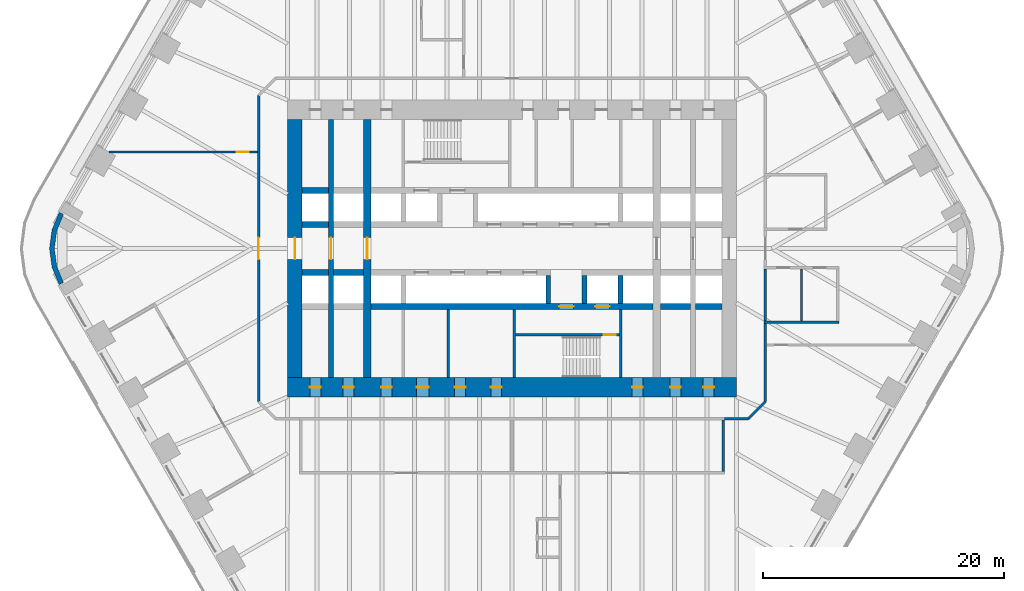
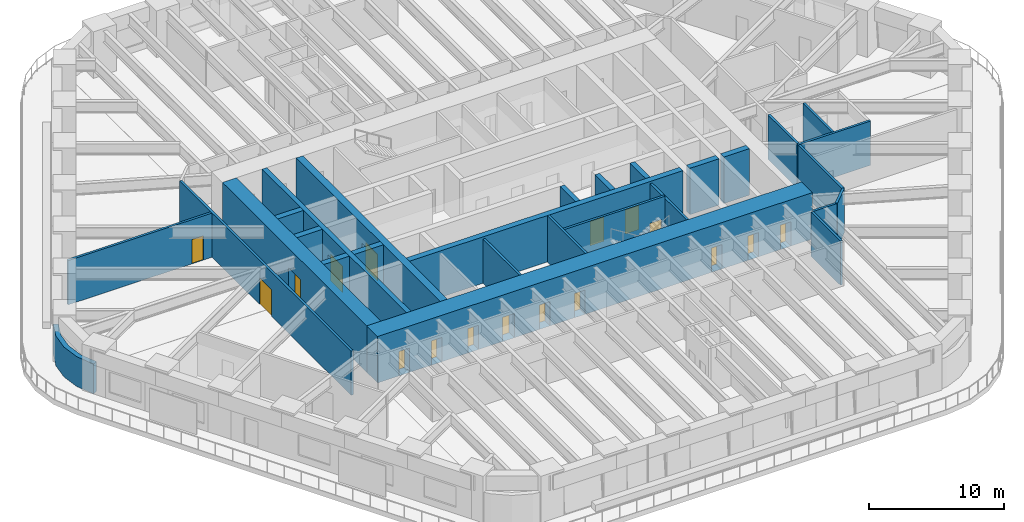
# One storey, part 17 of 24: 28 walls, 17 doors, 17 openings.
"""IFC4 building model written with IfcOpenShell, lengths in metres."""

from ifc_helpers import new_model, si_unit, direction, frame, frame_2d, origin, place, context, subcontext, project, spatial, polyline, rectangle, outline, extrude, material, layer, layer_set, type_object, element, fill, save


model = new_model("IFC4")

# Units and contexts
model_context = context("Model", 3, precision=1e-05, world=origin(), true_north=direction((0.0, 1.0)))
body_context = subcontext(model_context, "Body", "Model", "MODEL_VIEW")
ifc_project = project(units=[si_unit("LENGTHUNIT", "METRE"), si_unit("AREAUNIT", "SQUARE_METRE"), si_unit("VOLUMEUNIT", "CUBIC_METRE"), si_unit("PLANEANGLEUNIT", "RADIAN"), si_unit("MASSUNIT", "GRAM", prefix="KILO")], contexts=[model_context])

# Site, building, storey
site_placement = place(None, origin())
site = spatial("IfcSite", under=ifc_project, at=site_placement, CompositionType="ELEMENT")
building_placement = place(site_placement, origin())
building = spatial("IfcBuilding", under=site, at=building_placement, Name="Tarfa Lantern Tower", CompositionType="ELEMENT")
storey_placement = place(building_placement, frame((0.0, 0.0, 73.89990234375)))
storey = spatial("IfcBuildingStorey", under=building, at=storey_placement, Name="L16", CompositionType="ELEMENT", Elevation=73.89990234375)

# Walls
ifc_material_1 = material(Name="Limestone cladding on blockwork", Category="masonry")
ifc_layer_1 = layer(ifc_material_1, 0.39990234375)
ifc_layer_set_1 = layer_set([ifc_layer_1], Name="EW2 CURVED STONE CORNER 400")
wall_type_1 = type_object("IfcWallType", Name="EW2 CURVED STONE CORNER 400", PredefinedType="SOLIDWALL", material=ifc_layer_set_1)
wall_1_placement = place(storey_placement, origin())
element("IfcWall", 1, at=wall_1_placement, inside=storey, type_object=wall_type_1, Name="Stone corner NW-SW", PredefinedType="SOLIDWALL", context=body_context, shape_type="SweptSolid", body=[
    extrude(outline(polyline([(-37.52783203125, 3.0), (-38.127197265625, 1.552978515625), (-38.33154296875, 0.0), (-38.127197265625, -1.552978515625), (-37.52783203125, -3.0), (-37.181396484375, -2.800048828125), (-37.74072265625, -1.449462890625), (-37.931640625, 0.0), (-37.74072265625, 1.449462890625), (-37.181396484375, 2.800048828125), (-37.52783203125, 3.0)])), origin(), (0.0, 0.0, 1.0), 2.7001953125),
])
ifc_material_2 = material(Name="Concrete blockwork", Category="masonry")
ifc_layer_2 = layer(ifc_material_2, 0.199951171875)
ifc_layer_set_2 = layer_set([ifc_layer_2], Name="IW1 BLOCKWORK PARTITION 200 EI 120")
wall_type_2 = type_object("IfcWallType", Name="IW1 BLOCKWORK PARTITION 200 EI 120", PredefinedType="PARTITIONING", material=ifc_layer_set_2)
for number, where, z_axis, x_axis, name in (
    (2, (9.0, -5.050048828125, 0.0), (0.0, 0.0, 1.0), (0.0, -1.0, 0.0), "Core partition"),
    (3, (-5.300048828125, -5.050048828125, 0.0), (0.0, 0.0, 1.0), (0.0, -1.0, 0.0), "Core partition"),
):
    element("IfcWall", number, at=place(storey_placement, frame(where, z_axis=z_axis, x_axis=x_axis)), inside=storey, type_object=wall_type_2, Name=name, PredefinedType="PARTITIONING", context=body_context, shape_type="SweptSolid", body=[
        extrude(rectangle(XDim=5.64990234375, YDim=0.199951171875, at=frame_2d((2.824951171875, 0.0))), origin(), (0.0, 0.0, 1.0), 4.0),
    ])
ifc_material_3 = material(Name="Gypsum board on steel studs", Category="steel")
ifc_layer_3 = layer(ifc_material_3, 0.2099609375)
ifc_layer_set_3 = layer_set([ifc_layer_3], Name="IW2 ACOUSTIC PARTITION 200")
wall_type_3 = type_object("IfcWallType", Name="IW2 ACOUSTIC PARTITION 200", PredefinedType="PARTITIONING", material=ifc_layer_set_3)
wall_2_placement = place(storey_placement, frame((17.5, -14.199951171875, 0.0), z_axis=(0.0, 0.0, 1.0), x_axis=(0.0, -1.0, 0.0)))
element("IfcWall", 4, at=wall_2_placement, inside=storey, type_object=wall_type_3, Name="Partition", PredefinedType="PARTITIONING", context=body_context, shape_type="SweptSolid", body=[
    extrude(rectangle(XDim=4.300048828125, YDim=0.199951171875, at=frame_2d((2.14990234375, 0.0))), origin(), (0.0, 0.0, 1.0), 4.0),
])
wall_3_placement = place(storey_placement, frame((20.89990234375, -6.10009765625, 0.0), z_axis=(0.0, 0.0, 1.0), x_axis=(1.0, 0.0, 0.0)))
element("IfcWall", 5, at=wall_3_placement, inside=storey, type_object=wall_type_3, Name="Partition", PredefinedType="PARTITIONING", context=body_context, shape_type="SweptSolid", body=[
    extrude(rectangle(XDim=6.2001953125, YDim=0.199951171875, at=frame_2d((3.10009765625, 0.0))), origin(), (0.0, 0.0, 1.0), 4.0),
])
for number, where, z_axis, x_axis, name in (
    (6, (21.0, -1.699951171875, 0.0), (0.0, 0.0, 1.0), (0.0, -1.0, 0.0), "Partition"),
    (7, (24.0, -1.699951171875, 0.0), (0.0, 0.0, 1.0), (0.0, -1.0, 0.0), "Partition"),
):
    element("IfcWall", number, at=place(storey_placement, frame(where, z_axis=z_axis, x_axis=x_axis)), inside=storey, type_object=wall_type_3, Name=name, PredefinedType="PARTITIONING", context=body_context, shape_type="SweptSolid", body=[
        extrude(rectangle(XDim=4.300048828125, YDim=0.199951171875, at=frame_2d((2.14990234375, 0.0))), origin(), (0.0, 0.0, 1.0), 4.0),
    ])
wall_4_placement = place(storey_placement, frame((21.0, -6.200927734375, 0.0), z_axis=(0.0, 0.0, 1.0), x_axis=(0.0, -1.0, 0.0)))
element("IfcWall", 8, at=wall_4_placement, inside=storey, type_object=wall_type_3, Name="Partition", PredefinedType="PARTITIONING", context=body_context, shape_type="SweptSolid", body=[
    extrude(rectangle(XDim=6.4990234375, YDim=0.199951171875, at=frame_2d((3.24951171875, 0.0))), origin(), (0.0, 0.0, 1.0), 4.0),
])
wall_5_placement = place(storey_placement, frame((21.0, -12.699951171875, 0.0), z_axis=(0.0, 0.0, 1.0), x_axis=(-0.707045124756, -0.707168432242, 0.0)))
element("IfcWall", 9, at=wall_5_placement, inside=storey, type_object=wall_type_3, Name="Partition", PredefinedType="PARTITIONING", context=body_context, shape_type="SweptSolid", body=[
    extrude(rectangle(XDim=1.97998046875, YDim=0.199951171875, at=frame_2d((0.989990234375, 0.0))), origin(), (0.0, 0.0, 1.0), 4.0),
])
wall_6_placement = place(storey_placement, frame((19.60009765625, -14.10009765625, 0.0), z_axis=(0.0, 0.0, 1.0), x_axis=(-1.0, 0.0, 0.0)))
element("IfcWall", 10, at=wall_6_placement, inside=storey, type_object=wall_type_3, Name="Partition", PredefinedType="PARTITIONING", context=body_context, shape_type="SweptSolid", body=[
    extrude(rectangle(XDim=2.0, YDim=0.199951171875, at=frame_2d((1.0, 0.0))), origin(), (0.0, 0.0, 1.0), 4.0),
])

# Wall, opening, door
wall_7_placement = place(storey_placement, frame((-21.0, -12.699951171875, 0.0), z_axis=(0.0, 0.0, 1.0), x_axis=(0.0, 1.0, 0.0)))
wall_7 = element("IfcWall", 11, at=wall_7_placement, inside=storey, type_object=wall_type_3, Name="Partition", PredefinedType="PARTITIONING", context=body_context, shape_type="SweptSolid", body=[
    extrude(rectangle(XDim=25.39990234375, YDim=0.199951171875, at=frame_2d((12.699951171875, 0.0))), origin(), (0.0, 0.0, 1.0), 4.0),
])
opening_1_placement = place(wall_7_placement, frame((11.800048828125, 0.0, 0.0)))
opening_1 = element("IfcOpeningElement", 12, at=opening_1_placement, cuts=wall_7, Name="Opening D49", PredefinedType="OPENING", context=body_context, shape_type="SweptSolid", body=[
    extrude(rectangle(XDim=1.800048828125, YDim=2.39990234375, at=frame_2d((0.89990234375, 1.199951171875))), frame((0.0, 0.10986328125, 0.0), z_axis=(0.0, -1.0, 0.0), x_axis=(1.0, 0.0, 0.0)), (0.0, 0.0, 1.0), 0.219970703125),
])
ifc_material_4 = material(Name="Timber door", Category="wood")
door_type_1 = type_object("IfcDoorType", Name="DR2 ROOM DOOR 1800x2400", OperationType="DOUBLE_DOOR_SINGLE_SWING", PredefinedType="DOOR", material=ifc_material_4)
door_1_placement = place(opening_1_placement, origin())
door_1 = element("IfcDoor", 13, at=door_1_placement, inside=storey, type_object=door_type_1, Name="Corridor door", OperationType="DOUBLE_DOOR_SINGLE_SWING", OverallHeight=2.39990234375, OverallWidth=1.800048828125, PredefinedType="DOOR", context=body_context, shape_type="SweptSolid", body=[
    extrude(rectangle(XDim=1.800048828125, YDim=2.39990234375, at=frame_2d((0.89990234375, 1.199951171875))), frame((0.0, 0.02490234375, 0.0), z_axis=(0.0, -1.0, 0.0), x_axis=(1.0, 0.0, 0.0)), (0.0, 0.0, 1.0), 0.050048828125),
])
fill(opening_1, door_1)

wall_8_placement = place(storey_placement, frame((-21.10009765625, 8.0, 0.0), z_axis=(0.0, 0.0, 1.0), x_axis=(-1.0, 0.0, 0.0)))
wall_8 = element("IfcWall", 14, at=wall_8_placement, inside=storey, type_object=wall_type_3, Name="Partition", PredefinedType="PARTITIONING", context=body_context, shape_type="SweptSolid", body=[
    extrude(rectangle(XDim=12.310791015625, YDim=0.199951171875, at=frame_2d((6.1552734375, 0.0))), origin(), (0.0, 0.0, 1.0), 4.0),
])
opening_2_placement = place(wall_8_placement, frame((0.731201171875, 0.0, 0.0)))
opening_2 = element("IfcOpeningElement", 15, at=opening_2_placement, cuts=wall_8, Name="Opening D53", PredefinedType="OPENING", context=body_context, shape_type="SweptSolid", body=[
    extrude(rectangle(XDim=1.0, YDim=2.199951171875, at=frame_2d((0.5, 1.10009765625))), frame((0.0, 0.10986328125, 0.0), z_axis=(0.0, -1.0, 0.0), x_axis=(1.0, 0.0, 0.0)), (0.0, 0.0, 1.0), 0.219970703125),
])
door_type_2 = type_object("IfcDoorType", Name="DR1 ROOM DOOR 1000x2200", OperationType="SINGLE_SWING_LEFT", PredefinedType="DOOR", material=ifc_material_4)
door_2_placement = place(opening_2_placement, frame((1.0, 0.0, 0.0), z_axis=(0.0, 0.0, 1.0), x_axis=(-1.0, 0.0, 0.0)))
door_2 = element("IfcDoor", 16, at=door_2_placement, inside=storey, type_object=door_type_2, Name="Zone door", OperationType="SINGLE_SWING_LEFT", OverallHeight=2.199951171875, OverallWidth=1.0, PredefinedType="DOOR", context=body_context, shape_type="SweptSolid", body=[
    extrude(rectangle(XDim=1.0, YDim=2.199951171875, at=frame_2d((0.5, 1.10009765625))), frame((0.0, 0.02490234375, 0.0), z_axis=(0.0, -1.0, 0.0), x_axis=(1.0, 0.0, 0.0)), (0.0, 0.0, 1.0), 0.050048828125),
])
fill(opening_2, door_2)

ifc_material_5 = material(Name="Concrete C80/95", Category="concrete")
ifc_layer_4 = layer(ifc_material_5, 1.199951171875)
ifc_layer_set_4 = layer_set([ifc_layer_4], Name="SW1 CORE WALL 1200")
wall_type_4 = type_object("IfcWallType", Name="SW1 CORE WALL 1200", PredefinedType="SHEAR", material=ifc_layer_set_4)
wall_9_placement = place(storey_placement, frame((-18.0, 10.699951171875, 0.0), z_axis=(0.0, 0.0, 1.0), x_axis=(0.0, -1.0, 0.0)))
wall_9 = element("IfcWall", 17, at=wall_9_placement, inside=storey, type_object=wall_type_4, Name="Core wall W", PredefinedType="SHEAR", context=body_context, shape_type="SweptSolid", body=[
    extrude(rectangle(XDim=21.39990234375, YDim=1.199951171875, at=frame_2d((10.699951171875, 0.0))), origin(), (0.0, 0.0, 1.0), 4.2001953125),
])
opening_3_placement = place(wall_9_placement, frame((9.800048828125, 0.0, 0.0)))
opening_3 = element("IfcOpeningElement", 18, at=opening_3_placement, cuts=wall_9, Name="Opening D16", PredefinedType="OPENING", context=body_context, shape_type="SweptSolid", body=[
    extrude(rectangle(XDim=1.800048828125, YDim=2.39990234375, at=frame_2d((0.89990234375, 1.199951171875))), frame((0.0, 0.60986328125, 0.0), z_axis=(0.0, -1.0, 0.0), x_axis=(1.0, 0.0, 0.0)), (0.0, 0.0, 1.0), 1.219970703125),
])
ifc_material_6 = material(Name="Steel fire door", Category="steel")
door_type_3 = type_object("IfcDoorType", Name="DL1 LOBBY DOOR 1800x2400", OperationType="DOUBLE_DOOR_SINGLE_SWING", PredefinedType="DOOR", material=ifc_material_6)
door_3_placement = place(opening_3_placement, frame((1.800048828125, 0.0, 0.0), z_axis=(0.0, 0.0, 1.0), x_axis=(-1.0, 0.0, 0.0)))
door_3 = element("IfcDoor", 19, at=door_3_placement, inside=storey, type_object=door_type_3, Name="Lift lobby door", OperationType="DOUBLE_DOOR_SINGLE_SWING", OverallHeight=2.39990234375, OverallWidth=1.800048828125, PredefinedType="DOOR", context=body_context, shape_type="SweptSolid", body=[
    extrude(rectangle(XDim=1.800048828125, YDim=2.39990234375, at=frame_2d((0.89990234375, 1.199951171875))), frame((0.0, 0.02490234375, 0.0), z_axis=(0.0, -1.0, 0.0), x_axis=(1.0, 0.0, 0.0)), (0.0, 0.0, 1.0), 0.050048828125),
])
fill(opening_3, door_3)

# Wall
ifc_layer_5 = layer(ifc_material_5, 0.199951171875)
ifc_layer_set_5 = layer_set([ifc_layer_5], Name="SW12 CORE WALL 200")
wall_type_5 = type_object("IfcWallType", Name="SW12 CORE WALL 200", PredefinedType="SHEAR", material=ifc_layer_set_5)
wall_10_placement = place(storey_placement, frame((0.199951171875, -5.050048828125, 0.0), z_axis=(0.0, 0.0, 1.0), x_axis=(0.0, -1.0, 0.0)))
element("IfcWall", 20, at=wall_10_placement, inside=storey, type_object=wall_type_5, Name="Core wall stair shaft S", PredefinedType="SHEAR", context=body_context, shape_type="SweptSolid", body=[
    extrude(rectangle(XDim=5.64990234375, YDim=0.199951171875, at=frame_2d((2.824951171875, 0.0))), origin(), (0.0, 0.0, 1.0), 4.2001953125),
])

# Wall, opening, door
wall_11_placement = place(storey_placement, frame((8.89990234375, -7.14990234375, 0.0), z_axis=(0.0, 0.0, 1.0), x_axis=(-1.0, 0.0, 0.0)))
wall_11 = element("IfcWall", 21, at=wall_11_placement, inside=storey, type_object=wall_type_5, Name="Core wall stair partition S", PredefinedType="SHEAR", context=body_context, shape_type="SweptSolid", body=[
    extrude(rectangle(XDim=8.599853515625, YDim=0.199951171875, at=frame_2d((4.2998046875, 0.0))), origin(), (0.0, 0.0, 1.0), 4.2001953125),
])
opening_4_placement = place(wall_11_placement, frame((0.300048828125, 0.0, 0.0)))
opening_4 = element("IfcOpeningElement", 22, at=opening_4_placement, cuts=wall_11, Name="Opening D24", PredefinedType="OPENING", context=body_context, shape_type="SweptSolid", body=[
    extrude(rectangle(XDim=1.0, YDim=2.199951171875, at=frame_2d((0.5, 1.10009765625))), frame((0.0, 0.10986328125, 0.0), z_axis=(0.0, -1.0, 0.0), x_axis=(1.0, 0.0, 0.0)), (0.0, 0.0, 1.0), 0.219970703125),
])
door_type_4 = type_object("IfcDoorType", Name="DF2 STAIR DOOR 1000x2200", OperationType="SINGLE_SWING_LEFT", PredefinedType="DOOR", material=ifc_material_6)
door_4_placement = place(opening_4_placement, origin())
door_4 = element("IfcDoor", 23, at=door_4_placement, inside=storey, type_object=door_type_4, Name="Stair door", OperationType="SINGLE_SWING_RIGHT", OverallHeight=2.199951171875, OverallWidth=1.0, PredefinedType="DOOR", context=body_context, shape_type="SweptSolid", body=[
    extrude(rectangle(XDim=1.0, YDim=2.199951171875, at=frame_2d((0.5, 1.10009765625))), frame((0.0, 0.02490234375, 0.0), z_axis=(0.0, -1.0, 0.0), x_axis=(1.0, 0.0, 0.0)), (0.0, 0.0, 1.0), 0.050048828125),
])
fill(opening_4, door_4)

# Walls
ifc_layer_6 = layer(ifc_material_5, 0.5)
ifc_layer_set_6 = layer_set([ifc_layer_6], Name="SW5 CORE WALL 500")
wall_type_6 = type_object("IfcWallType", Name="SW5 CORE WALL 500", PredefinedType="SHEAR", material=ifc_layer_set_6)
for number, where, z_axis, x_axis, name in (
    (24, (-17.39990234375, 2.0, 0.0), (0.0, 0.0, 1.0), (1.0, 0.0, 0.0), "Core wall lobby west N"),
    (25, (-17.39990234375, 4.800048828125, 0.0), (0.0, 0.0, 1.0), (1.0, 0.0, 0.0), "Core wall rear N"),
):
    element("IfcWall", number, at=place(storey_placement, frame(where, z_axis=z_axis, x_axis=x_axis)), inside=storey, type_object=wall_type_6, Name=name, PredefinedType="SHEAR", context=body_context, shape_type="SweptSolid", body=[
        extrude(rectangle(XDim=2.199951171875, YDim=0.5, at=frame_2d((1.10009765625, 0.0))), origin(), (0.0, 0.0, 1.0), 4.2001953125),
    ])
wall_12_placement = place(storey_placement, frame((-12.300048828125, -2.0, 0.0), z_axis=(0.0, 0.0, 1.0), x_axis=(-1.0, 0.0, 0.0)))
element("IfcWall", 26, at=wall_12_placement, inside=storey, type_object=wall_type_6, Name="Core wall lobby east S", PredefinedType="SHEAR", context=body_context, shape_type="SweptSolid", body=[
    extrude(rectangle(XDim=2.5, YDim=0.5, at=frame_2d((1.25, 0.0))), origin(), (0.0, 0.0, 1.0), 4.2001953125),
])
for number, where, z_axis, x_axis, name in (
    (27, (-15.199951171875, -2.0, 0.0), (0.0, 0.0, 1.0), (-1.0, 0.0, 0.0), "Core wall lobby east S"),
    (28, (17.39990234375, -4.800048828125, 0.0), (0.0, 0.0, 1.0), (-1.0, 0.0, 0.0), "Core wall rear S"),
):
    element("IfcWall", number, at=place(storey_placement, frame(where, z_axis=z_axis, x_axis=x_axis)), inside=storey, type_object=wall_type_6, Name=name, PredefinedType="SHEAR", context=body_context, shape_type="SweptSolid", body=[
        extrude(rectangle(XDim=2.199951171875, YDim=0.5, at=frame_2d((1.10009765625, 0.0))), origin(), (0.0, 0.0, 1.0), 4.2001953125),
    ])
wall_13_placement = place(storey_placement, frame((14.800048828125, -4.800048828125, 0.0), z_axis=(0.0, 0.0, 1.0), x_axis=(-1.0, 0.0, 0.0)))
element("IfcWall", 29, at=wall_13_placement, inside=storey, type_object=wall_type_6, Name="Core wall rear S", PredefinedType="SHEAR", context=body_context, shape_type="SweptSolid", body=[
    extrude(rectangle(XDim=2.5, YDim=0.5, at=frame_2d((1.25, 0.0))), origin(), (0.0, 0.0, 1.0), 4.2001953125),
])

# Wall, openings, doors
wall_14_placement = place(storey_placement, frame((11.699951171875, -4.800048828125, 0.0), z_axis=(0.0, 0.0, 1.0), x_axis=(-1.0, 0.0, 0.0)))
wall_14 = element("IfcWall", 30, at=wall_14_placement, inside=storey, type_object=wall_type_6, Name="Core wall rear S", PredefinedType="SHEAR", context=body_context, shape_type="SweptSolid", body=[
    extrude(rectangle(XDim=23.39990234375, YDim=0.5, at=frame_2d((11.699951171875, 0.0))), origin(), (0.0, 0.0, 1.0), 4.2001953125),
])
opening_5_placement = place(wall_14_placement, frame((6.60009765625, 0.0, 0.0)))
opening_5 = element("IfcOpeningElement", 31, at=opening_5_placement, cuts=wall_14, Name="Opening D14", PredefinedType="OPENING", context=body_context, shape_type="SweptSolid", body=[
    extrude(rectangle(XDim=1.199951171875, YDim=2.199951171875, at=frame_2d((0.60009765625, 1.10009765625))), frame((0.0, 0.260009765625, 0.0), z_axis=(0.0, -1.0, 0.0), x_axis=(1.0, 0.0, 0.0)), (0.0, 0.0, 1.0), 0.52001953125),
])
opening_6_placement = place(wall_14_placement, frame((3.60009765625, 0.0, 0.0)))
opening_6 = element("IfcOpeningElement", 32, at=opening_6_placement, cuts=wall_14, Name="Opening LD02", PredefinedType="OPENING", context=body_context, shape_type="SweptSolid", body=[
    extrude(rectangle(XDim=1.199951171875, YDim=2.199951171875, at=frame_2d((0.60009765625, 1.10009765625))), frame((0.0, 0.260009765625, 0.0), z_axis=(0.0, -1.0, 0.0), x_axis=(1.0, 0.0, 0.0)), (0.0, 0.0, 1.0), 0.52001953125),
])
door_type_5 = type_object("IfcDoorType", Name="DF1 FIREFIGHTING LOBBY DOOR 1200x2200", OperationType="SINGLE_SWING_LEFT", PredefinedType="DOOR", material=ifc_material_6)
door_5_placement = place(opening_5_placement, origin())
door_5 = element("IfcDoor", 33, at=door_5_placement, inside=storey, type_object=door_type_5, Name="Firefighting lobby door", OperationType="SINGLE_SWING_LEFT", OverallHeight=2.199951171875, OverallWidth=1.199951171875, PredefinedType="DOOR", context=body_context, shape_type="SweptSolid", body=[
    extrude(rectangle(XDim=1.199951171875, YDim=2.199951171875, at=frame_2d((0.60009765625, 1.10009765625))), frame((0.0, 0.02490234375, 0.0), z_axis=(0.0, -1.0, 0.0), x_axis=(1.0, 0.0, 0.0)), (0.0, 0.0, 1.0), 0.050048828125),
])
fill(opening_5, door_5)
ifc_material_7 = material(Name="Stainless steel lift door", Category="steel")
door_type_6 = type_object("IfcDoorType", Name="LD1 LIFT LANDING DOOR 1200x2200", OperationType="SLIDING_TO_LEFT", PredefinedType="DOOR", material=ifc_material_7)
door_6_placement = place(opening_6_placement, origin())
door_6 = element("IfcDoor", 34, at=door_6_placement, inside=storey, type_object=door_type_6, Name="Landing door FL2", OperationType="SLIDING_TO_LEFT", OverallHeight=2.199951171875, OverallWidth=1.199951171875, PredefinedType="DOOR", context=body_context, shape_type="SweptSolid", body=[
    extrude(rectangle(XDim=1.199951171875, YDim=2.199951171875, at=frame_2d((0.60009765625, 1.10009765625))), frame((0.0, 0.02490234375, 0.0), z_axis=(0.0, -1.0, 0.0), x_axis=(1.0, 0.0, 0.0)), (0.0, 0.0, 1.0), 0.050048828125),
])
fill(opening_6, door_6)

# Wall, opening, door
ifc_layer_7 = layer(ifc_material_5, 0.39990234375)
ifc_layer_set_7 = layer_set([ifc_layer_7], Name="SW6 CORE WALL 400")
wall_type_7 = type_object("IfcWallType", Name="SW6 CORE WALL 400", PredefinedType="SHEAR", material=ifc_layer_set_7)
wall_15_placement = place(storey_placement, frame((-15.0, -10.699951171875, 0.0), z_axis=(0.0, 0.0, 1.0), x_axis=(0.0, 1.0, 0.0)))
wall_15 = element("IfcWall", 35, at=wall_15_placement, inside=storey, type_object=wall_type_7, Name="Core wall cross 15 m west", PredefinedType="SHEAR", context=body_context, shape_type="SweptSolid", body=[
    extrude(rectangle(XDim=21.39990234375, YDim=0.39990234375, at=frame_2d((10.699951171875, 0.0))), origin(), (0.0, 0.0, 1.0), 4.2001953125),
])
opening_7_placement = place(wall_15_placement, frame((9.800048828125, 0.0, 0.0)))
opening_7 = element("IfcOpeningElement", 36, at=opening_7_placement, cuts=wall_15, Name="Opening D28", PredefinedType="OPENING", context=body_context, shape_type="SweptSolid", body=[
    extrude(rectangle(XDim=1.800048828125, YDim=2.39990234375, at=frame_2d((0.89990234375, 1.199951171875))), frame((0.0, 0.2099609375, 0.0), z_axis=(0.0, -1.0, 0.0), x_axis=(1.0, 0.0, 0.0)), (0.0, 0.0, 1.0), 0.419921875),
])
door_7_placement = place(opening_7_placement, origin())
door_7 = element("IfcDoor", 37, at=door_7_placement, inside=storey, type_object=door_type_3, Name="Lift lobby door", OperationType="DOUBLE_DOOR_SINGLE_SWING", OverallHeight=2.39990234375, OverallWidth=1.800048828125, PredefinedType="DOOR", context=body_context, shape_type="SweptSolid", body=[
    extrude(rectangle(XDim=1.800048828125, YDim=2.39990234375, at=frame_2d((0.89990234375, 1.199951171875))), frame((0.0, 0.02490234375, 0.0), z_axis=(0.0, -1.0, 0.0), x_axis=(1.0, 0.0, 0.0)), (0.0, 0.0, 1.0), 0.050048828125),
])
fill(opening_7, door_7)

# Walls
for number, where, z_axis, x_axis, name in (
    (38, (9.0, -2.25, 0.0), (0.0, 0.0, 1.0), (0.0, -1.0, 0.0), "Core wall divider S"),
    (39, (6.0, -2.25, 0.0), (0.0, 0.0, 1.0), (0.0, -1.0, 0.0), "Core wall divider S"),
    (40, (3.0, -2.25, 0.0), (0.0, 0.0, 1.0), (0.0, -1.0, 0.0), "Core wall divider S"),
):
    element("IfcWall", number, at=place(storey_placement, frame(where, z_axis=z_axis, x_axis=x_axis)), inside=storey, type_object=wall_type_7, Name=name, PredefinedType="SHEAR", context=body_context, shape_type="SweptSolid", body=[
        extrude(rectangle(XDim=2.300048828125, YDim=0.39990234375, at=frame_2d((1.14990234375, 0.0))), origin(), (0.0, 0.0, 1.0), 4.2001953125),
    ])

# Wall, openings, doors
ifc_layer_8 = layer(ifc_material_5, 1.60009765625)
ifc_layer_set_8 = layer_set([ifc_layer_8], Name="SW7 CORE WALL 1600")
wall_type_8 = type_object("IfcWallType", Name="SW7 CORE WALL 1600", PredefinedType="SHEAR", material=ifc_layer_set_8)
wall_16_placement = place(storey_placement, frame((18.60009765625, -11.5, 0.0), z_axis=(0.0, 0.0, 1.0), x_axis=(-1.0, 0.0, 0.0)))
wall_16 = element("IfcWall", 41, at=wall_16_placement, inside=storey, type_object=wall_type_8, Name="Core wall S", PredefinedType="SHEAR", context=body_context, shape_type="SweptSolid", body=[
    extrude(rectangle(XDim=37.2001953125, YDim=1.60009765625, at=frame_2d((18.60009765625, 0.0))), origin(), (0.0, 0.0, 1.0), 4.2001953125),
])
opening_8_placement = place(wall_16_placement, frame((19.449951171875, 0.0, 0.0)))
opening_8 = element("IfcOpeningElement", 42, at=opening_8_placement, cuts=wall_16, Name="Opening D18", PredefinedType="OPENING", context=body_context, shape_type="SweptSolid", body=[
    extrude(rectangle(XDim=0.89990234375, YDim=2.199951171875, at=frame_2d((0.449951171875, 1.10009765625))), frame((0.0, 0.81005859375, 0.0), z_axis=(0.0, -1.0, 0.0), x_axis=(1.0, 0.0, 0.0)), (0.0, 0.0, 1.0), 1.6201171875),
])
opening_9_placement = place(wall_16_placement, frame((22.449951171875, 0.0, 0.0)))
opening_9 = element("IfcOpeningElement", 43, at=opening_9_placement, cuts=wall_16, Name="Opening D20", PredefinedType="OPENING", context=body_context, shape_type="SweptSolid", body=[
    extrude(rectangle(XDim=0.89990234375, YDim=2.199951171875, at=frame_2d((0.449951171875, 1.10009765625))), frame((0.0, 0.81005859375, 0.0), z_axis=(0.0, -1.0, 0.0), x_axis=(1.0, 0.0, 0.0)), (0.0, 0.0, 1.0), 1.6201171875),
])
opening_10_placement = place(wall_16_placement, frame((25.5, 0.0, 0.0)))
opening_10 = element("IfcOpeningElement", 44, at=opening_10_placement, cuts=wall_16, Name="Opening D22", PredefinedType="OPENING", context=body_context, shape_type="SweptSolid", body=[
    extrude(rectangle(XDim=1.0, YDim=2.199951171875, at=frame_2d((0.5, 1.10009765625))), frame((0.0, 0.81005859375, 0.0), z_axis=(0.0, -1.0, 0.0), x_axis=(1.0, 0.0, 0.0)), (0.0, 0.0, 1.0), 1.6201171875),
])
opening_11_placement = place(wall_16_placement, frame((1.85009765625, 0.0, 0.0)))
opening_11 = element("IfcOpeningElement", 45, at=opening_11_placement, cuts=wall_16, Name="Opening D12", PredefinedType="OPENING", context=body_context, shape_type="SweptSolid", body=[
    extrude(rectangle(XDim=0.89990234375, YDim=2.199951171875, at=frame_2d((0.449951171875, 1.10009765625))), frame((0.0, 0.81005859375, 0.0), z_axis=(0.0, -1.0, 0.0), x_axis=(1.0, 0.0, 0.0)), (0.0, 0.0, 1.0), 1.6201171875),
])
opening_12_placement = place(wall_16_placement, frame((4.60009765625, 0.0, 0.0)))
opening_12 = element("IfcOpeningElement", 46, at=opening_12_placement, cuts=wall_16, Name="Opening D08", PredefinedType="OPENING", context=body_context, shape_type="SweptSolid", body=[
    extrude(rectangle(XDim=0.89990234375, YDim=2.199951171875, at=frame_2d((0.449951171875, 1.10009765625))), frame((0.0, 0.81005859375, 0.0), z_axis=(0.0, -1.0, 0.0), x_axis=(1.0, 0.0, 0.0)), (0.0, 0.0, 1.0), 1.6201171875),
])
opening_13_placement = place(wall_16_placement, frame((7.75, 0.0, 0.0)))
opening_13 = element("IfcOpeningElement", 47, at=opening_13_placement, cuts=wall_16, Name="Opening D10", PredefinedType="OPENING", context=body_context, shape_type="SweptSolid", body=[
    extrude(rectangle(XDim=0.89990234375, YDim=2.199951171875, at=frame_2d((0.449951171875, 1.10009765625))), frame((0.0, 0.81005859375, 0.0), z_axis=(0.0, -1.0, 0.0), x_axis=(1.0, 0.0, 0.0)), (0.0, 0.0, 1.0), 1.6201171875),
])
opening_14_placement = place(wall_16_placement, frame((28.550048828125, 0.0, 0.0)))
opening_14 = element("IfcOpeningElement", 48, at=opening_14_placement, cuts=wall_16, Name="Opening D06", PredefinedType="OPENING", context=body_context, shape_type="SweptSolid", body=[
    extrude(rectangle(XDim=0.89990234375, YDim=2.199951171875, at=frame_2d((0.449951171875, 1.10009765625))), frame((0.0, 0.81005859375, 0.0), z_axis=(0.0, -1.0, 0.0), x_axis=(1.0, 0.0, 0.0)), (0.0, 0.0, 1.0), 1.6201171875),
])
opening_15_placement = place(wall_16_placement, frame((31.699951171875, 0.0, 0.0)))
opening_15 = element("IfcOpeningElement", 49, at=opening_15_placement, cuts=wall_16, Name="Opening D02", PredefinedType="OPENING", context=body_context, shape_type="SweptSolid", body=[
    extrude(rectangle(XDim=0.89990234375, YDim=2.199951171875, at=frame_2d((0.449951171875, 1.10009765625))), frame((0.0, 0.81005859375, 0.0), z_axis=(0.0, -1.0, 0.0), x_axis=(1.0, 0.0, 0.0)), (0.0, 0.0, 1.0), 1.6201171875),
])
opening_16_placement = place(wall_16_placement, frame((34.449951171875, 0.0, 0.0)))
opening_16 = element("IfcOpeningElement", 50, at=opening_16_placement, cuts=wall_16, Name="Opening D04", PredefinedType="OPENING", context=body_context, shape_type="SweptSolid", body=[
    extrude(rectangle(XDim=0.89990234375, YDim=2.199951171875, at=frame_2d((0.449951171875, 1.10009765625))), frame((0.0, 0.81005859375, 0.0), z_axis=(0.0, -1.0, 0.0), x_axis=(1.0, 0.0, 0.0)), (0.0, 0.0, 1.0), 1.6201171875),
])
door_type_7 = type_object("IfcDoorType", Name="DF3 CORE ROOM DOOR 900x2200", OperationType="SINGLE_SWING_LEFT", PredefinedType="DOOR", material=ifc_material_6)
door_8_placement = place(opening_8_placement, frame((0.89990234375, 0.0, 0.0), z_axis=(0.0, 0.0, 1.0), x_axis=(-1.0, 0.0, 0.0)))
door_8 = element("IfcDoor", 51, at=door_8_placement, inside=storey, type_object=door_type_7, Name="Core door", OperationType="SINGLE_SWING_LEFT", OverallHeight=2.199951171875, OverallWidth=0.89990234375, PredefinedType="DOOR", context=body_context, shape_type="SweptSolid", body=[
    extrude(rectangle(XDim=0.89990234375, YDim=2.199951171875, at=frame_2d((0.449951171875, 1.10009765625))), frame((0.0, 0.02490234375, 0.0), z_axis=(0.0, -1.0, 0.0), x_axis=(1.0, 0.0, 0.0)), (0.0, 0.0, 1.0), 0.050048828125),
])
fill(opening_8, door_8)
door_9_placement = place(opening_9_placement, frame((0.89990234375, 0.0, 0.0), z_axis=(0.0, 0.0, 1.0), x_axis=(-1.0, 0.0, 0.0)))
door_9 = element("IfcDoor", 52, at=door_9_placement, inside=storey, type_object=door_type_7, Name="Core door", OperationType="SINGLE_SWING_RIGHT", OverallHeight=2.199951171875, OverallWidth=0.89990234375, PredefinedType="DOOR", context=body_context, shape_type="SweptSolid", body=[
    extrude(rectangle(XDim=0.89990234375, YDim=2.199951171875, at=frame_2d((0.449951171875, 1.10009765625))), frame((0.0, 0.02490234375, 0.0), z_axis=(0.0, -1.0, 0.0), x_axis=(1.0, 0.0, 0.0)), (0.0, 0.0, 1.0), 0.050048828125),
])
fill(opening_9, door_9)
door_type_8 = type_object("IfcDoorType", Name="DF4 CORE ROOM DOOR 1000x2200", OperationType="SINGLE_SWING_LEFT", PredefinedType="DOOR", material=ifc_material_6)
door_10_placement = place(opening_10_placement, frame((1.0, 0.0, 0.0), z_axis=(0.0, 0.0, 1.0), x_axis=(-1.0, 0.0, 0.0)))
door_10 = element("IfcDoor", 53, at=door_10_placement, inside=storey, type_object=door_type_8, Name="Core door", OperationType="SINGLE_SWING_RIGHT", OverallHeight=2.199951171875, OverallWidth=1.0, PredefinedType="DOOR", context=body_context, shape_type="SweptSolid", body=[
    extrude(rectangle(XDim=1.0, YDim=2.199951171875, at=frame_2d((0.5, 1.10009765625))), frame((0.0, 0.02490234375, 0.0), z_axis=(0.0, -1.0, 0.0), x_axis=(1.0, 0.0, 0.0)), (0.0, 0.0, 1.0), 0.050048828125),
])
fill(opening_10, door_10)
door_type_9 = type_object("IfcDoorType", Name="DF5 RISER DOOR 900x2200", OperationType="SINGLE_SWING_LEFT", PredefinedType="DOOR", material=ifc_material_6)
door_11_placement = place(opening_11_placement, frame((0.89990234375, 0.0, 0.0), z_axis=(0.0, 0.0, 1.0), x_axis=(-1.0, 0.0, 0.0)))
door_11 = element("IfcDoor", 54, at=door_11_placement, inside=storey, type_object=door_type_9, Name="Riser door", OperationType="SINGLE_SWING_LEFT", OverallHeight=2.199951171875, OverallWidth=0.89990234375, PredefinedType="DOOR", context=body_context, shape_type="SweptSolid", body=[
    extrude(rectangle(XDim=0.89990234375, YDim=2.199951171875, at=frame_2d((0.449951171875, 1.10009765625))), frame((0.0, 0.02490234375, 0.0), z_axis=(0.0, -1.0, 0.0), x_axis=(1.0, 0.0, 0.0)), (0.0, 0.0, 1.0), 0.050048828125),
])
fill(opening_11, door_11)
door_12_placement = place(opening_12_placement, frame((0.89990234375, 0.0, 0.0), z_axis=(0.0, 0.0, 1.0), x_axis=(-1.0, 0.0, 0.0)))
door_12 = element("IfcDoor", 55, at=door_12_placement, inside=storey, type_object=door_type_9, Name="Riser door", OperationType="SINGLE_SWING_LEFT", OverallHeight=2.199951171875, OverallWidth=0.89990234375, PredefinedType="DOOR", context=body_context, shape_type="SweptSolid", body=[
    extrude(rectangle(XDim=0.89990234375, YDim=2.199951171875, at=frame_2d((0.449951171875, 1.10009765625))), frame((0.0, 0.02490234375, 0.0), z_axis=(0.0, -1.0, 0.0), x_axis=(1.0, 0.0, 0.0)), (0.0, 0.0, 1.0), 0.050048828125),
])
fill(opening_12, door_12)
door_13_placement = place(opening_13_placement, frame((0.89990234375, 0.0, 0.0), z_axis=(0.0, 0.0, 1.0), x_axis=(-1.0, 0.0, 0.0)))
door_13 = element("IfcDoor", 56, at=door_13_placement, inside=storey, type_object=door_type_9, Name="Riser door", OperationType="SINGLE_SWING_LEFT", OverallHeight=2.199951171875, OverallWidth=0.89990234375, PredefinedType="DOOR", context=body_context, shape_type="SweptSolid", body=[
    extrude(rectangle(XDim=0.89990234375, YDim=2.199951171875, at=frame_2d((0.449951171875, 1.10009765625))), frame((0.0, 0.02490234375, 0.0), z_axis=(0.0, -1.0, 0.0), x_axis=(1.0, 0.0, 0.0)), (0.0, 0.0, 1.0), 0.050048828125),
])
fill(opening_13, door_13)
door_14_placement = place(opening_14_placement, frame((0.89990234375, 0.0, 0.0), z_axis=(0.0, 0.0, 1.0), x_axis=(-1.0, 0.0, 0.0)))
door_14 = element("IfcDoor", 57, at=door_14_placement, inside=storey, type_object=door_type_9, Name="Riser door", OperationType="SINGLE_SWING_RIGHT", OverallHeight=2.199951171875, OverallWidth=0.89990234375, PredefinedType="DOOR", context=body_context, shape_type="SweptSolid", body=[
    extrude(rectangle(XDim=0.89990234375, YDim=2.199951171875, at=frame_2d((0.449951171875, 1.10009765625))), frame((0.0, 0.02490234375, 0.0), z_axis=(0.0, -1.0, 0.0), x_axis=(1.0, 0.0, 0.0)), (0.0, 0.0, 1.0), 0.050048828125),
])
fill(opening_14, door_14)
door_15_placement = place(opening_15_placement, frame((0.89990234375, 0.0, 0.0), z_axis=(0.0, 0.0, 1.0), x_axis=(-1.0, 0.0, 0.0)))
door_15 = element("IfcDoor", 58, at=door_15_placement, inside=storey, type_object=door_type_9, Name="Riser door", OperationType="SINGLE_SWING_RIGHT", OverallHeight=2.199951171875, OverallWidth=0.89990234375, PredefinedType="DOOR", context=body_context, shape_type="SweptSolid", body=[
    extrude(rectangle(XDim=0.89990234375, YDim=2.199951171875, at=frame_2d((0.449951171875, 1.10009765625))), frame((0.0, 0.02490234375, 0.0), z_axis=(0.0, -1.0, 0.0), x_axis=(1.0, 0.0, 0.0)), (0.0, 0.0, 1.0), 0.050048828125),
])
fill(opening_15, door_15)
door_16_placement = place(opening_16_placement, frame((0.89990234375, 0.0, 0.0), z_axis=(0.0, 0.0, 1.0), x_axis=(-1.0, 0.0, 0.0)))
door_16 = element("IfcDoor", 59, at=door_16_placement, inside=storey, type_object=door_type_9, Name="Riser door", OperationType="SINGLE_SWING_RIGHT", OverallHeight=2.199951171875, OverallWidth=0.89990234375, PredefinedType="DOOR", context=body_context, shape_type="SweptSolid", body=[
    extrude(rectangle(XDim=0.89990234375, YDim=2.199951171875, at=frame_2d((0.449951171875, 1.10009765625))), frame((0.0, 0.02490234375, 0.0), z_axis=(0.0, -1.0, 0.0), x_axis=(1.0, 0.0, 0.0)), (0.0, 0.0, 1.0), 0.050048828125),
])
fill(opening_16, door_16)

# Wall, opening, door
ifc_layer_9 = layer(ifc_material_5, 0.60009765625)
ifc_layer_set_9 = layer_set([ifc_layer_9], Name="SW9 CORE WALL 600")
wall_type_9 = type_object("IfcWallType", Name="SW9 CORE WALL 600", PredefinedType="SHEAR", material=ifc_layer_set_9)
wall_17_placement = place(storey_placement, frame((-12.0, -10.699951171875, 0.0), z_axis=(0.0, 0.0, 1.0), x_axis=(0.0, 1.0, 0.0)))
wall_17 = element("IfcWall", 60, at=wall_17_placement, inside=storey, type_object=wall_type_9, Name="Core wall cross 12 m west", PredefinedType="SHEAR", context=body_context, shape_type="SweptSolid", body=[
    extrude(rectangle(XDim=21.39990234375, YDim=0.60009765625, at=frame_2d((10.699951171875, 0.0))), origin(), (0.0, 0.0, 1.0), 4.2001953125),
])
opening_17_placement = place(wall_17_placement, frame((9.800048828125, 0.0, 0.0)))
opening_17 = element("IfcOpeningElement", 61, at=opening_17_placement, cuts=wall_17, Name="Opening D27", PredefinedType="OPENING", context=body_context, shape_type="SweptSolid", body=[
    extrude(rectangle(XDim=1.800048828125, YDim=2.39990234375, at=frame_2d((0.89990234375, 1.199951171875))), frame((0.0, 0.31005859375, 0.0), z_axis=(0.0, -1.0, 0.0), x_axis=(1.0, 0.0, 0.0)), (0.0, 0.0, 1.0), 0.6201171875),
])
door_17_placement = place(opening_17_placement, origin())
door_17 = element("IfcDoor", 62, at=door_17_placement, inside=storey, type_object=door_type_3, Name="Lift lobby door", OperationType="DOUBLE_DOOR_SINGLE_SWING", OverallHeight=2.39990234375, OverallWidth=1.800048828125, PredefinedType="DOOR", context=body_context, shape_type="SweptSolid", body=[
    extrude(rectangle(XDim=1.800048828125, YDim=2.39990234375, at=frame_2d((0.89990234375, 1.199951171875))), frame((0.0, 0.02490234375, 0.0), z_axis=(0.0, -1.0, 0.0), x_axis=(1.0, 0.0, 0.0)), (0.0, 0.0, 1.0), 0.050048828125),
])
fill(opening_17, door_17)

save(model, "model.ifc")
